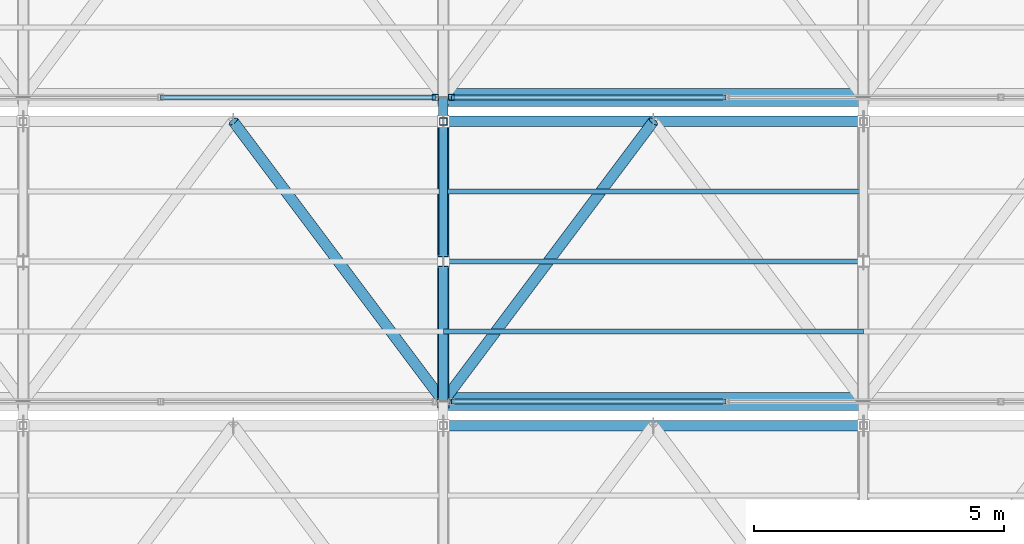
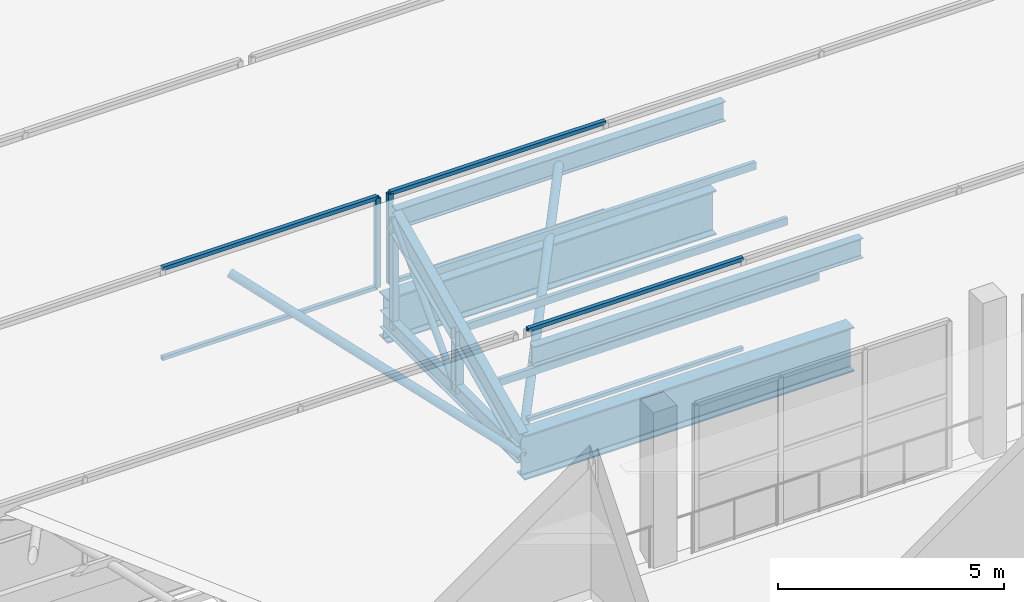
# One storey, part 84 of 217: 20 members, 2 beams, 3 elements without a shape of their own.
"""IFC4 building model written with IfcOpenShell, lengths in metres."""

from ifc_helpers import new_model, si_unit, direction, frame, origin, origin_2d, place, context, subcontext, project, spatial, hollow_rectangle, hollow_circle, i_section, extrude, material, material_profile, profile_set, type_object, element, aggregate, save


model = new_model("IFC4")

# Units and contexts
model_context = context("Model", 3, precision=1e-05, world=origin(), true_north=direction((0.0, 1.0)))
body_context = subcontext(model_context, "Body", "Model", "MODEL_VIEW")
ifc_project = project(units=[si_unit("LENGTHUNIT", "METRE"), si_unit("AREAUNIT", "SQUARE_METRE"), si_unit("VOLUMEUNIT", "CUBIC_METRE"), si_unit("PLANEANGLEUNIT", "RADIAN"), si_unit("MASSUNIT", "GRAM", prefix="KILO")], contexts=[model_context])

# Site, building, storey
site_placement = place(None, origin())
site = spatial("IfcSite", under=ifc_project, at=site_placement, CompositionType="ELEMENT")
building_placement = place(site_placement, origin())
building = spatial("IfcBuilding", under=site, at=building_placement, Name="Zuvorla Pavilion Media Centre", CompositionType="ELEMENT")
storey_placement = place(building_placement, frame((0.0, 0.0, 9.60009765625)))
storey = spatial("IfcBuildingStorey", under=building, at=storey_placement, Name="L02", CompositionType="ELEMENT", Elevation=9.60009765625)

# Beams
ifc_material_1 = material(Name="Steel S355", Category="steel")
ifc_material_profile_1 = material_profile(ifc_material_1, i_section(OverallWidth=0.360107421875, OverallDepth=1.199951171875, WebThickness=0.02001953125, FlangeThickness=0.0380859375, FilletRadius=0.02392578125, at=origin_2d()), Name="PG 1200x360x38")
ifc_profile_set_1 = profile_set([ifc_material_profile_1], Name="Steel S355")
beam_type = type_object("IfcBeamType", Name="BM-PG1200", PredefinedType="BEAM", material=ifc_profile_set_1)
for number, where, z_axis, x_axis, name in (
    (1, (100.39990234375, 95.679931640625, -0.88818359375), (1.0, 0.0, 0.0), (0.0, 1.0, 0.0), "L02 beam B01 1787"),
    (2, (100.39990234375, 101.760009765625, -0.88818359375), (1.0, 0.0, 0.0), (0.0, 1.0, 0.0), "L02 beam B01 1793"),
):
    element("IfcBeam", number, at=place(storey_placement, frame(where, z_axis=z_axis, x_axis=x_axis)), inside=storey, type_object=beam_type, Name=name, PredefinedType="BEAM", context=body_context, shape_type="SweptSolid", body=[
        extrude(i_section(OverallWidth=0.360107421875, OverallDepth=1.199951171875, WebThickness=0.02001953125, FlangeThickness=0.0380859375, FilletRadius=0.02392578125, at=origin_2d()), origin(), (0.0, 0.0, 1.0), 8.400146484375),
    ])

# Curtain wall, member
ifc_material_2 = material(Name="Unitised anodised aluminium and solar glass curtain wall", Category="aluminium")
curtain_wall_type = type_object("IfcCurtainWallType", Name="CW-SYS-88", PredefinedType="USERDEFINED", material=ifc_material_2)
curtain_wall_1_placement = place(storey_placement, origin())
curtain_wall_1 = element("IfcCurtainWall", 3, at=curtain_wall_1_placement, inside=storey, type_object=curtain_wall_type, Name="L02 curtain wall CW88 205", ObjectType="CURTAIN WALL", PredefinedType="USERDEFINED")
ifc_material_3 = material(Name="Anodised aluminium 6063-T6", Category="aluminium")
ifc_material_profile_2 = material_profile(ifc_material_3, hollow_rectangle(XDim=0.1201171875, YDim=0.1201171875, WallThickness=0.0048828125, at=origin_2d()), Name="ALU MULL 120x120")
ifc_profile_set_2 = profile_set([ifc_material_profile_2], Name="Anodised aluminium 6063-T6")
member_type_1 = type_object("IfcMemberType", Name="CW-MULL-120", PredefinedType="MULLION", material=ifc_profile_set_2)
member_1_placement = place(storey_placement, frame((100.239990234375, 101.760009765625, 0.0), z_axis=(0.0, 0.0, 1.0), x_axis=(1.0, 0.0, 0.0)))
member_1 = element("IfcMember", 4, at=member_1_placement, type_object=member_type_1, Name="CW88 mullion 4", PredefinedType="MULLION", context=body_context, shape_type="SweptSolid", body=[
    extrude(hollow_rectangle(XDim=0.1201171875, YDim=0.1201171875, WallThickness=0.0048828125, at=origin_2d()), origin(), (0.0, 0.0, 1.0), 2.419921875),
])

curtain_wall_2_placement = place(storey_placement, origin())
curtain_wall_2 = element("IfcCurtainWall", 5, at=curtain_wall_2_placement, inside=storey, type_object=curtain_wall_type, Name="L02 curtain wall CW88 206", ObjectType="CURTAIN WALL", PredefinedType="USERDEFINED")
member_2_placement = place(storey_placement, frame((100.56005859375, 101.760009765625, 0.0), z_axis=(0.0, 0.0, 1.0), x_axis=(1.0, 0.0, 0.0)))
member_2 = element("IfcMember", 6, at=member_2_placement, type_object=member_type_1, Name="CW88 mullion 1", PredefinedType="MULLION", context=body_context, shape_type="SweptSolid", body=[
    extrude(hollow_rectangle(XDim=0.1201171875, YDim=0.1201171875, WallThickness=0.0048828125, at=origin_2d()), origin(), (0.0, 0.0, 1.0), 2.419921875),
])

# Curtain wall, members
curtain_wall_3_placement = place(storey_placement, origin())
curtain_wall_3 = element("IfcCurtainWall", 7, at=curtain_wall_3_placement, inside=storey, type_object=curtain_wall_type, Name="L02 curtain wall CW88 202", ObjectType="CURTAIN WALL", PredefinedType="USERDEFINED")
ifc_material_profile_3 = material_profile(ifc_material_3, hollow_rectangle(XDim=0.10009765625, YDim=0.10009765625, WallThickness=0.00439453125, at=origin_2d()), Name="ALU TRAN 100x100")
ifc_profile_set_3 = profile_set([ifc_material_profile_3], Name="Anodised aluminium 6063-T6")
member_type_2 = type_object("IfcMemberType", Name="CW-TRAN-100", PredefinedType="USERDEFINED", material=ifc_profile_set_3)
member_3_placement = place(storey_placement, frame((100.56005859375, 95.679931640625, 0.0), z_axis=(1.0, 0.0, 0.0), x_axis=(0.0, 1.0, 0.0)))
member_3 = element("IfcMember", 8, at=member_3_placement, type_object=member_type_2, Name="CW88 transom 1.1", ObjectType="TRANSOM", PredefinedType="USERDEFINED", context=body_context, shape_type="SweptSolid", body=[
    extrude(hollow_rectangle(XDim=0.10009765625, YDim=0.10009765625, WallThickness=0.00439453125, at=origin_2d()), origin(), (0.0, 0.0, 1.0), 5.4931640625),
])
member_4_placement = place(storey_placement, frame((100.56005859375, 95.679931640625, 2.419921875), z_axis=(1.0, 0.0, 0.0), x_axis=(0.0, 1.0, 0.0)))
member_4 = element("IfcMember", 9, at=member_4_placement, type_object=member_type_2, Name="CW88 transom 1.2", ObjectType="TRANSOM", PredefinedType="USERDEFINED", context=body_context, shape_type="SweptSolid", body=[
    extrude(hollow_rectangle(XDim=0.10009765625, YDim=0.10009765625, WallThickness=0.00439453125, at=origin_2d()), origin(), (0.0, 0.0, 1.0), 5.4931640625),
])
aggregate(curtain_wall_3, [member_3, member_4])

# Member
member_5_placement = place(storey_placement, frame((94.74658203125, 101.760009765625, 0.0), z_axis=(1.0, 0.0, 0.0), x_axis=(0.0, 1.0, 0.0)))
member_5 = element("IfcMember", 10, at=member_5_placement, type_object=member_type_2, Name="CW88 transom 3.1", ObjectType="TRANSOM", PredefinedType="USERDEFINED", context=body_context, shape_type="SweptSolid", body=[
    extrude(hollow_rectangle(XDim=0.10009765625, YDim=0.10009765625, WallThickness=0.00439453125, at=origin_2d()), origin(), (0.0, 0.0, 1.0), 5.493408203125),
])

member_6_placement = place(storey_placement, frame((94.74658203125, 101.760009765625, 2.419921875), z_axis=(1.0, 0.0, 0.0), x_axis=(0.0, 1.0, 0.0)))
member_6 = element("IfcMember", 11, at=member_6_placement, type_object=member_type_2, Name="CW88 transom 3.2", ObjectType="TRANSOM", PredefinedType="USERDEFINED", context=body_context, shape_type="SweptSolid", body=[
    extrude(hollow_rectangle(XDim=0.10009765625, YDim=0.10009765625, WallThickness=0.00439453125, at=origin_2d()), origin(), (0.0, 0.0, 1.0), 5.493408203125),
])

aggregate(curtain_wall_1, [member_1, member_5, member_6])

member_7_placement = place(storey_placement, frame((100.56005859375, 101.760009765625, 0.0), z_axis=(1.0, 0.0, 0.0), x_axis=(0.0, 1.0, 0.0)))
member_7 = element("IfcMember", 12, at=member_7_placement, type_object=member_type_2, Name="CW88 transom 1.1", ObjectType="TRANSOM", PredefinedType="USERDEFINED", context=body_context, shape_type="SweptSolid", body=[
    extrude(hollow_rectangle(XDim=0.10009765625, YDim=0.10009765625, WallThickness=0.00439453125, at=origin_2d()), origin(), (0.0, 0.0, 1.0), 5.4931640625),
])

member_8_placement = place(storey_placement, frame((100.56005859375, 101.760009765625, 2.419921875), z_axis=(1.0, 0.0, 0.0), x_axis=(0.0, 1.0, 0.0)))
member_8 = element("IfcMember", 13, at=member_8_placement, type_object=member_type_2, Name="CW88 transom 1.2", ObjectType="TRANSOM", PredefinedType="USERDEFINED", context=body_context, shape_type="SweptSolid", body=[
    extrude(hollow_rectangle(XDim=0.10009765625, YDim=0.10009765625, WallThickness=0.00439453125, at=origin_2d()), origin(), (0.0, 0.0, 1.0), 5.4931640625),
])

aggregate(curtain_wall_2, [member_2, member_7, member_8])

# Members
ifc_material_profile_4 = material_profile(ifc_material_1, hollow_circle(Radius=0.084228515625, WallThickness=0.008056640625, at=origin_2d()), Name="CHS 168.3x8")
ifc_profile_set_4 = profile_set([ifc_material_profile_4], Name="Steel S355")
member_type_3 = type_object("IfcMemberType", Name="MEM-BRC-CHS168", PredefinedType="BRACE", material=ifc_profile_set_4)
member_9_placement = place(storey_placement, frame((100.39990234375, 98.47998046875, -0.880126953125), z_axis=(0.0, 0.68676242614, 0.726881950555), x_axis=(-1.0, 0.0, 0.0)))
element("IfcMember", 14, at=member_9_placement, inside=storey, type_object=member_type_3, Name="L02 diagonal brace TB03 149", PredefinedType="BRACE", context=body_context, shape_type="SweptSolid", body=[
    extrude(hollow_circle(Radius=0.084228515625, WallThickness=0.008056640625, at=origin_2d()), origin(), (0.0, 0.0, 1.0), 4.0771484375),
])
ifc_material_profile_5 = material_profile(ifc_material_1, hollow_circle(Radius=0.109619140625, WallThickness=0.010009765625, at=origin_2d()), Name="CHS 219.1x10")
ifc_profile_set_5 = profile_set([ifc_material_profile_5], Name="Steel S355")
member_type_4 = type_object("IfcMemberType", Name="MEM-BRC-CHS219", PredefinedType="BRACE", material=ifc_profile_set_5)
member_10_placement = place(storey_placement, frame((96.199951171875, 101.280029296875, 2.08349609375), z_axis=(0.552511596944, -0.736703540702, -0.389870271191), x_axis=(0.800008370399, 0.599988839305, 0.0)))
element("IfcMember", 15, at=member_10_placement, inside=storey, type_object=member_type_4, Name="L02 diagonal brace TB02 191", PredefinedType="BRACE", context=body_context, shape_type="SweptSolid", body=[
    extrude(hollow_circle(Radius=0.109619140625, WallThickness=0.010009765625, at=origin_2d()), origin(), (0.0, 0.0, 1.0), 7.6015625),
])
member_11_placement = place(storey_placement, frame((100.39990234375, 95.679931640625, -0.880126953125), z_axis=(0.552533909139, 0.736690467788, 0.389863352885), x_axis=(-0.79999162962, 0.600011160345, 0.0)))
element("IfcMember", 16, at=member_11_placement, inside=storey, type_object=member_type_4, Name="L02 diagonal brace TB02 196", PredefinedType="BRACE", context=body_context, shape_type="SweptSolid", body=[
    extrude(hollow_circle(Radius=0.109619140625, WallThickness=0.010009765625, at=origin_2d()), origin(), (0.0, 0.0, 1.0), 7.601806640625),
])
ifc_material_profile_6 = material_profile(ifc_material_1, i_section(OverallWidth=0.19140625, OverallDepth=0.4599609375, WebThickness=0.010009765625, FlangeThickness=0.01611328125, FilletRadius=0.01025390625, at=origin_2d()), Name="UB 457x191x82")
ifc_profile_set_6 = profile_set([ifc_material_profile_6], Name="Steel S355")
member_type_5 = type_object("IfcMemberType", Name="MEM-CHD-UB457", PredefinedType="CHORD", material=ifc_profile_set_6)
member_12_placement = place(storey_placement, frame((100.39990234375, 95.679931640625, -0.880126953125), z_axis=(0.0, 1.0, 0.0), x_axis=(-1.0, 0.0, 0.0)))
element("IfcMember", 17, at=member_12_placement, inside=storey, type_object=member_type_5, Name="L02 chord TC03 146", PredefinedType="CHORD", context=body_context, shape_type="SweptSolid", body=[
    extrude(i_section(OverallWidth=0.19140625, OverallDepth=0.4599609375, WebThickness=0.010009765625, FlangeThickness=0.01611328125, FilletRadius=0.01025390625, at=origin_2d()), origin(), (0.0, 0.0, 1.0), 6.080078125),
])
ifc_material_profile_7 = material_profile(ifc_material_1, i_section(OverallWidth=0.2099609375, OverallDepth=0.53662109375, WebThickness=0.0107421875, FlangeThickness=0.017333984375, FilletRadius=0.0126953125, at=origin_2d()), Name="UB 533x210x101")
ifc_profile_set_7 = profile_set([ifc_material_profile_7], Name="Steel S355")
member_type_6 = type_object("IfcMemberType", Name="MEM-CHD-UB533", PredefinedType="CHORD", material=ifc_profile_set_7)
for number, where, z_axis, x_axis, name in (
    (18, (100.39990234375, 95.199951171875, 2.08349609375), (1.0, 0.0, 0.0), (0.0, 1.0, 0.0), "L02 chord TC02 102"),
    (19, (100.39990234375, 101.280029296875, 2.08349609375), (1.0, 0.0, 0.0), (0.0, 1.0, 0.0), "L02 chord TC02 195"),
):
    element("IfcMember", number, at=place(storey_placement, frame(where, z_axis=z_axis, x_axis=x_axis)), inside=storey, type_object=member_type_6, Name=name, PredefinedType="CHORD", context=body_context, shape_type="SweptSolid", body=[
        extrude(i_section(OverallWidth=0.2099609375, OverallDepth=0.53662109375, WebThickness=0.0107421875, FlangeThickness=0.017333984375, FilletRadius=0.0126953125, at=origin_2d()), origin(), (0.0, 0.0, 1.0), 8.400146484375),
    ])
ifc_material_profile_8 = material_profile(ifc_material_1, i_section(OverallWidth=0.22900390625, OverallDepth=0.6123046875, WebThickness=0.011962890625, FlangeThickness=0.01953125, FilletRadius=0.0126953125, at=origin_2d()), Name="UB 610x229x125")
ifc_profile_set_8 = profile_set([ifc_material_profile_8], Name="Steel S355")
member_type_7 = type_object("IfcMemberType", Name="MEM-CHD-UB610", PredefinedType="CHORD", material=ifc_profile_set_8)
member_13_placement = place(storey_placement, frame((100.39990234375, 95.679931640625, -0.5166015625), z_axis=(0.0, 0.907005731366, 0.421118277053), x_axis=(-1.0, 0.0, 0.0)))
element("IfcMember", 20, at=member_13_placement, inside=storey, type_object=member_type_7, Name="L02 chord TC01 147", PredefinedType="CHORD", context=body_context, shape_type="SweptSolid", body=[
    extrude(i_section(OverallWidth=0.22900390625, OverallDepth=0.6123046875, WebThickness=0.011962890625, FlangeThickness=0.01953125, FilletRadius=0.0126953125, at=origin_2d()), origin(), (0.0, 0.0, 1.0), 6.17431640625),
])
ifc_material_profile_9 = material_profile(ifc_material_1, hollow_rectangle(XDim=0.10009765625, YDim=0.199951171875, WallThickness=0.008056640625, at=origin_2d()), Name="RHS 200x100x8")
ifc_profile_set_9 = profile_set([ifc_material_profile_9], Name="Steel S355")
member_type_8 = type_object("IfcMemberType", Name="MEM-PUR-RHS200", PredefinedType="PURLIN", material=ifc_profile_set_9)
for number, where, z_axis, x_axis, name in (
    (21, (100.39990234375, 97.080078125, 0.133544921875), (1.0, 0.0, 0.0), (0.0, 1.0, 0.0), "L02 purlin PR01 198"),
    (22, (100.39990234375, 98.47998046875, 0.783447265625), (1.0, 0.0, 0.0), (0.0, 1.0, 0.0), "L02 purlin PR01 199"),
    (23, (100.39990234375, 99.8798828125, 1.43359375), (1.0, 0.0, 0.0), (0.0, 1.0, 0.0), "L02 purlin PR01 200"),
):
    element("IfcMember", number, at=place(storey_placement, frame(where, z_axis=z_axis, x_axis=x_axis)), inside=storey, type_object=member_type_8, Name=name, PredefinedType="PURLIN", context=body_context, shape_type="SweptSolid", body=[
        extrude(hollow_rectangle(XDim=0.10009765625, YDim=0.199951171875, WallThickness=0.008056640625, at=origin_2d()), origin(), (0.0, 0.0, 1.0), 8.400146484375),
    ])
ifc_material_profile_10 = material_profile(ifc_material_1, hollow_rectangle(XDim=0.14990234375, YDim=0.14990234375, WallThickness=0.008056640625, at=origin_2d()), Name="SHS 150x150x8")
ifc_profile_set_10 = profile_set([ifc_material_profile_10], Name="Steel S355")
member_type_9 = type_object("IfcMemberType", Name="MEM-STR-SHS150", PredefinedType="STRUT", material=ifc_profile_set_10)
member_14_placement = place(storey_placement, frame((100.39990234375, 101.280029296875, -0.880126953125), z_axis=(0.0, 0.0, 1.0), x_axis=(1.0, 0.0, 0.0)))
element("IfcMember", 24, at=member_14_placement, inside=storey, type_object=member_type_9, Name="L02 vertical strut TS01 148", PredefinedType="STRUT", context=body_context, shape_type="SweptSolid", body=[
    extrude(hollow_rectangle(XDim=0.14990234375, YDim=0.14990234375, WallThickness=0.008056640625, at=origin_2d()), origin(), (0.0, 0.0, 1.0), 2.963623046875),
])
ifc_material_profile_11 = material_profile(ifc_material_1, i_section(OverallWidth=0.205810546875, OverallDepth=0.209716796875, WebThickness=0.009521484375, FlangeThickness=0.01416015625, FilletRadius=0.01025390625, at=origin_2d()), Name="UC 203x203x60")
ifc_profile_set_11 = profile_set([ifc_material_profile_11], Name="Steel S355")
member_type_10 = type_object("IfcMemberType", Name="MEM-STR-UC203", PredefinedType="STRUT", material=ifc_profile_set_11)
member_15_placement = place(storey_placement, frame((100.39990234375, 98.47998046875, -0.880126953125), z_axis=(0.0, 0.0, 1.0), x_axis=(1.0, 0.0, 0.0)))
element("IfcMember", 25, at=member_15_placement, inside=storey, type_object=member_type_10, Name="L02 vertical strut TS02 150", PredefinedType="STRUT", context=body_context, shape_type="SweptSolid", body=[
    extrude(i_section(OverallWidth=0.205810546875, OverallDepth=0.209716796875, WebThickness=0.009521484375, FlangeThickness=0.01416015625, FilletRadius=0.01025390625, at=origin_2d()), origin(), (0.0, 0.0, 1.0), 1.66357421875),
])

save(model, "model.ifc")
